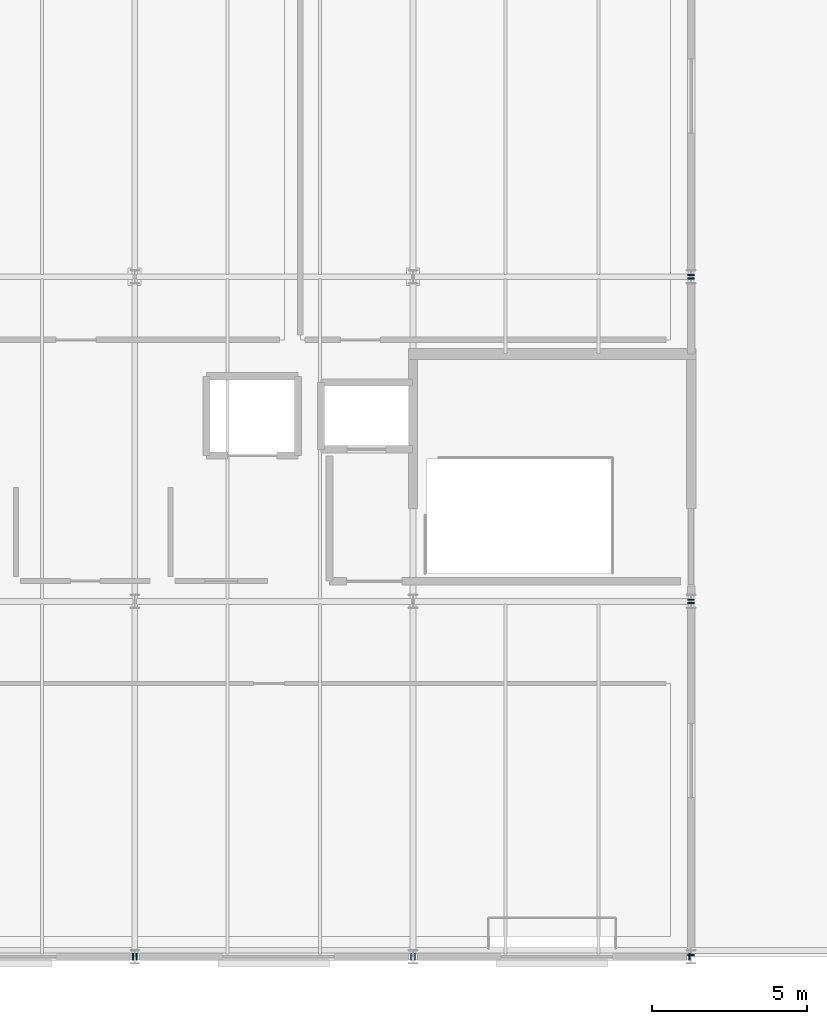
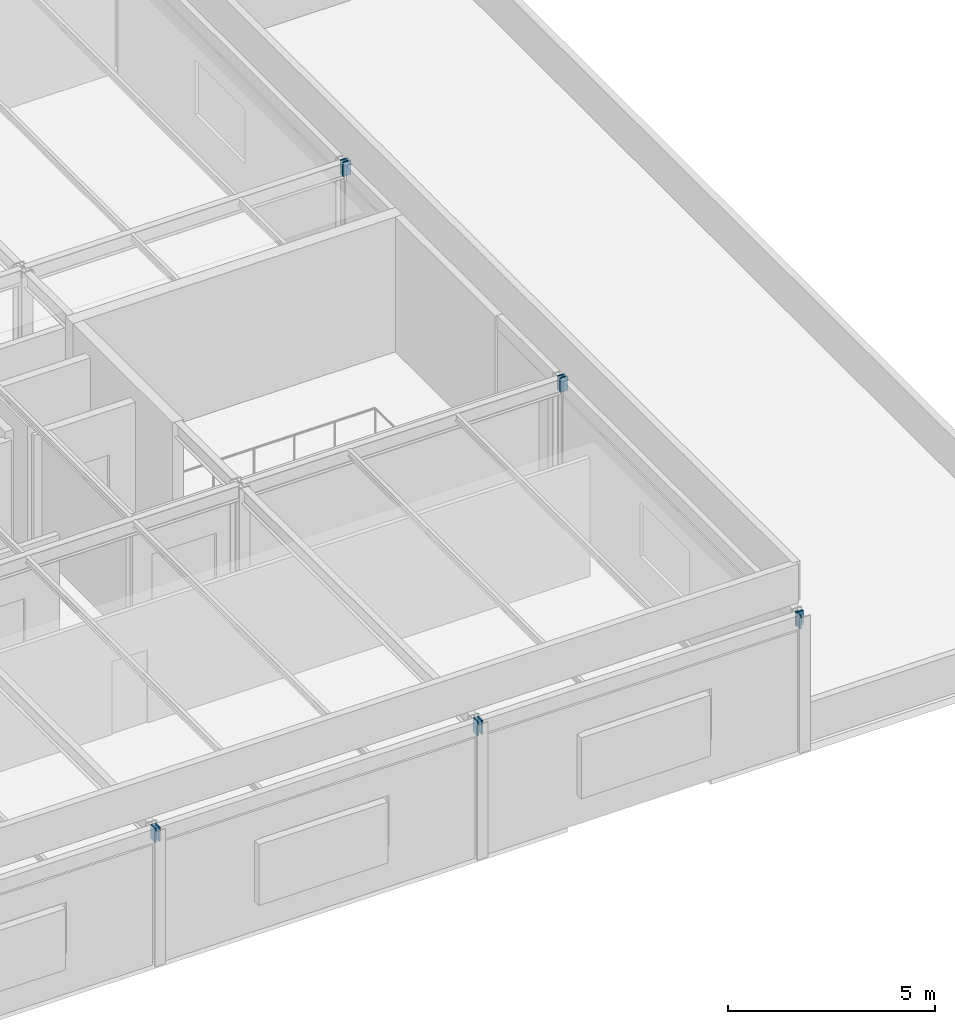
# One storey, part 11 of 14: 10 discrete accessories.
"""IFC4 building model written with IfcOpenShell, lengths in metres."""

from ifc_helpers import new_model, si_unit, direction, frame, origin, origin_2d, place, context, subcontext, project, spatial, rectangle, extrude, material, element, save


model = new_model("IFC4")

# Units and contexts
model_context = context("Model", 3, precision=1e-05, world=origin(), true_north=direction((0.0, 1.0)))
body_context = subcontext(model_context, "Body", "Model", "MODEL_VIEW")
ifc_project = project(units=[si_unit("LENGTHUNIT", "METRE"), si_unit("AREAUNIT", "SQUARE_METRE"), si_unit("VOLUMEUNIT", "CUBIC_METRE"), si_unit("PLANEANGLEUNIT", "RADIAN"), si_unit("MASSUNIT", "GRAM", prefix="KILO")], contexts=[model_context])

# Site, building, storey
site_placement = place(None, origin())
site = spatial("IfcSite", under=ifc_project, at=site_placement, CompositionType="ELEMENT")
building_placement = place(site_placement, origin())
building = spatial("IfcBuilding", under=site, at=building_placement, Name="Marlcrest Central Station", CompositionType="ELEMENT")
storey_placement = place(building_placement, frame((0.0, 0.0, 24.0)))
storey = spatial("IfcBuildingStorey", under=building, at=storey_placement, Name="L05", CompositionType="ELEMENT", Elevation=24.0)

# Discrete accessories
ifc_material = material(Name="Steel S355", Category="steel")
for number, where, z_axis, x_axis, name in (
    (1, (35.925048828125, 99.0, 3.780029296875), (1.0, 0.0, 0.0), (0.0, 1.0, 0.0), "endcap-bm-SP-01-L05-00672-e"),
    (2, (36.03515625, 99.0, 3.780029296875), (1.0, 0.0, 0.0), (0.0, 1.0, 0.0), "endcap-bm-SP-01-L05-00673-s"),
    (3, (44.925048828125, 99.0, 3.780029296875), (1.0, 0.0, 0.0), (0.0, 1.0, 0.0), "endcap-bm-SP-01-L05-00673-e"),
    (4, (45.03515625, 99.0, 3.780029296875), (1.0, 0.0, 0.0), (0.0, 1.0, 0.0), "endcap-bm-SP-01-L05-00674-s"),
    (5, (53.925048828125, 99.0, 3.780029296875), (1.0, 0.0, 0.0), (0.0, 1.0, 0.0), "endcap-bm-SP-01-L05-00674-e"),
    (6, (54.0, 99.03515625, 3.780029296875), (0.0, 1.0, 0.0), (-1.0, 0.0, 0.0), "endcap-bm-SP-01-L05-00711-s"),
    (7, (54.0, 110.425048828125, 3.780029296875), (0.0, 1.0, 0.0), (-1.0, 0.0, 0.0), "endcap-bm-SP-01-L05-00711-e"),
    (8, (54.0, 110.53515625, 3.780029296875), (0.0, 1.0, 0.0), (-1.0, 0.0, 0.0), "endcap-bm-SP-01-L05-00712-s"),
    (9, (54.0, 120.925048828125, 3.780029296875), (0.0, 1.0, 0.0), (-1.0, 0.0, 0.0), "endcap-bm-SP-01-L05-00712-e"),
    (10, (54.0, 121.03515625, 3.780029296875), (0.0, 1.0, 0.0), (-1.0, 0.0, 0.0), "endcap-bm-SP-01-L05-00713-s"),
):
    element("IfcDiscreteAccessory", number, at=place(storey_placement, frame(where, z_axis=z_axis, x_axis=x_axis)), inside=storey, material=ifc_material, Name=name, ObjectType="END_CAP_PLATE", PredefinedType="BRACKET", context=body_context, shape_type="SweptSolid", body=[
        extrude(rectangle(XDim=0.216064453125, YDim=0.416015625, at=origin_2d()), origin(), (0.0, 0.0, 1.0), 0.0400390625),
    ])

save(model, "model.ifc")
